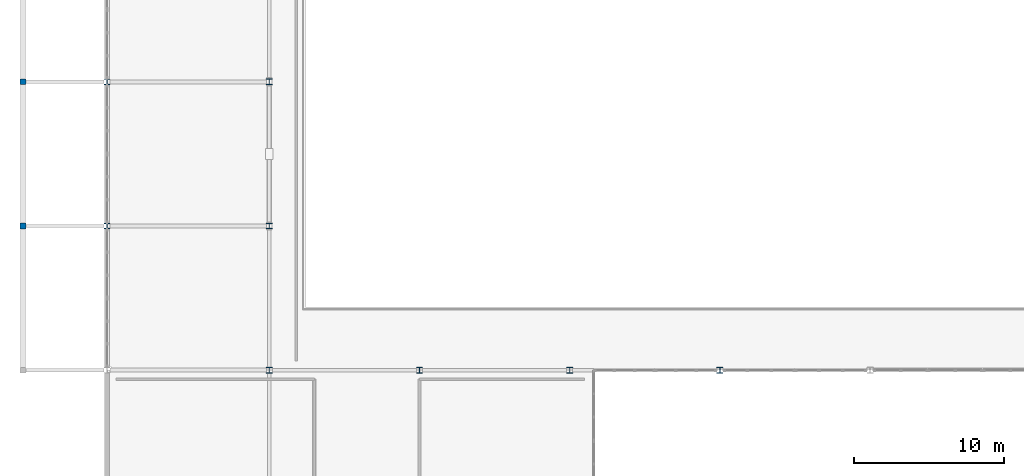
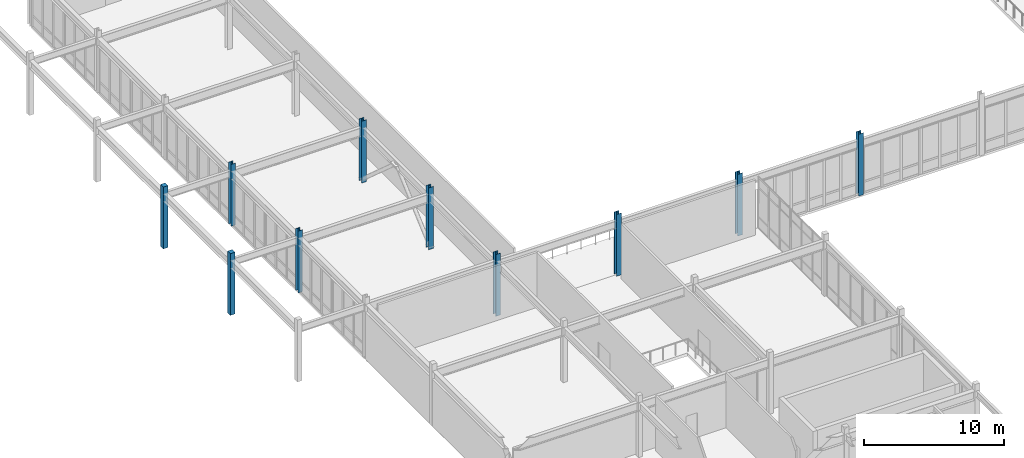
# One storey, part 2 of 68: 10 columns.
"""IFC4 building model written with IfcOpenShell, lengths in metres."""

from ifc_helpers import new_model, si_unit, direction, frame, origin, origin_2d, place, context, subcontext, project, spatial, rectangle, i_section, extrude, material, material_profile, profile_set, type_object, element, save


model = new_model("IFC4")

# Units and contexts
model_context = context("Model", 3, precision=1e-05, world=origin(), true_north=direction((0.0, 1.0)))
body_context = subcontext(model_context, "Body", "Model", "MODEL_VIEW")
ifc_project = project(units=[si_unit("LENGTHUNIT", "METRE"), si_unit("AREAUNIT", "SQUARE_METRE"), si_unit("VOLUMEUNIT", "CUBIC_METRE"), si_unit("PLANEANGLEUNIT", "RADIAN"), si_unit("MASSUNIT", "GRAM", prefix="KILO")], contexts=[model_context])

# Site, building, storey
site_placement = place(None, origin())
site = spatial("IfcSite", under=ifc_project, at=site_placement, CompositionType="ELEMENT")
building_placement = place(site_placement, origin())
building = spatial("IfcBuilding", under=site, at=building_placement, Name="Veldera Park Congress Hotel", CompositionType="ELEMENT")
storey_placement = place(building_placement, frame((0.0, 0.0, 10.800048828125)))
storey = spatial("IfcBuildingStorey", under=building, at=storey_placement, Name="L02", CompositionType="ELEMENT", Elevation=10.800048828125)

# Columns
ifc_material_1 = material(Name="Glulam GL28h (NDS 24F-V4)", Category="wood")
ifc_material_profile_1 = material_profile(ifc_material_1, rectangle(XDim=0.389892578125, YDim=0.389892578125, at=origin_2d()), Name="GL28h 390x390")
ifc_profile_set_1 = profile_set([ifc_material_profile_1], Name="Glulam GL28h (NDS 24F-V4)")
column_type_1 = type_object("IfcColumnType", Name="COL-GL36E", PredefinedType="COLUMN", material=ifc_profile_set_1)
for number, where, z_axis, x_axis, name in (
    (1, (-83.800048828125, -11.39990234375, 0.0), (0.0, 0.0, 1.0), (1.0, 0.0, 0.0), "L02 Column COL-GL36E (-83.8,-11.4)"),
    (2, (-83.800048828125, -1.800048828125, 0.0), (0.0, 0.0, 1.0), (1.0, 0.0, 0.0), "L02 Column COL-GL36E (-83.8,-1.8)"),
):
    element("IfcColumn", number, at=place(storey_placement, frame(where, z_axis=z_axis, x_axis=x_axis)), inside=storey, type_object=column_type_1, Name=name, PredefinedType="COLUMN", context=body_context, shape_type="SweptSolid", body=[
        extrude(rectangle(XDim=0.389892578125, YDim=0.389892578125, at=origin_2d()), origin(), (0.0, 0.0, 1.0), 5.39990234375),
    ])
ifc_material_2 = material(Name="Steel ASTM A992 Gr.50", Category="steel")
ifc_material_profile_2 = material_profile(ifc_material_2, i_section(OverallWidth=0.373046875, OverallDepth=0.367919921875, WebThickness=0.014892578125, FlangeThickness=0.02392578125, at=origin_2d()), Name="W14X120")
ifc_profile_set_2 = profile_set([ifc_material_profile_2], Name="Steel ASTM A992 Gr.50")
column_type_2 = type_object("IfcColumnType", Name="COL-STL120E", PredefinedType="COLUMN", material=ifc_profile_set_2)
for number, where, z_axis, x_axis, name in (
    (3, (-78.199951171875, -11.39990234375, 0.0), (0.0, 0.0, 1.0), (1.0, 0.0, 0.0), "L02 Column COL-STL120E (-78.2,-11.4)"),
    (4, (-78.199951171875, -1.800048828125, 0.0), (0.0, 0.0, 1.0), (1.0, 0.0, 0.0), "L02 Column COL-STL120E (-78.2,-1.8)"),
):
    element("IfcColumn", number, at=place(storey_placement, frame(where, z_axis=z_axis, x_axis=x_axis)), inside=storey, type_object=column_type_2, Name=name, PredefinedType="COLUMN", context=body_context, shape_type="SweptSolid", body=[
        extrude(i_section(OverallWidth=0.373046875, OverallDepth=0.367919921875, WebThickness=0.014892578125, FlangeThickness=0.02392578125, at=origin_2d()), origin(), (0.0, 0.0, 1.0), 5.39990234375),
    ])
ifc_material_profile_3 = material_profile(ifc_material_2, i_section(OverallWidth=0.39404296875, OverallDepth=0.375, WebThickness=0.017333984375, FlangeThickness=0.027587890625, at=origin_2d()), Name="W14X145")
ifc_profile_set_3 = profile_set([ifc_material_profile_3], Name="Steel ASTM A992 Gr.50")
column_type_3 = type_object("IfcColumnType", Name="COL-STL132E", PredefinedType="COLUMN", material=ifc_profile_set_3)
for number, where, z_axis, x_axis, name in (
    (5, (-57.39990234375, -21.0, 0.0), (0.0, 0.0, 1.0), (1.0, 0.0, 0.0), "L02 Column COL-STL132E (-57.4,-21.0)"),
    (6, (-47.39990234375, -21.0, 0.0), (0.0, 0.0, 1.0), (1.0, 0.0, 0.0), "L02 Column COL-STL132E (-47.4,-21.0)"),
    (7, (-37.39990234375, -21.0, 0.0), (0.0, 0.0, 1.0), (1.0, 0.0, 0.0), "L02 Column COL-STL132E (-37.4,-21.0)"),
):
    element("IfcColumn", number, at=place(storey_placement, frame(where, z_axis=z_axis, x_axis=x_axis)), inside=storey, type_object=column_type_3, Name=name, PredefinedType="COLUMN", context=body_context, shape_type="SweptSolid", body=[
        extrude(i_section(OverallWidth=0.39404296875, OverallDepth=0.375, WebThickness=0.017333984375, FlangeThickness=0.027587890625, at=origin_2d()), origin(), (0.0, 0.0, 1.0), 5.39990234375),
    ])
ifc_material_profile_4 = material_profile(ifc_material_2, i_section(OverallWidth=0.39697265625, OverallDepth=0.386962890625, WebThickness=0.02099609375, FlangeThickness=0.033203125, at=origin_2d()), Name="W14X176")
ifc_profile_set_4 = profile_set([ifc_material_profile_4], Name="Steel ASTM A992 Gr.50")
column_type_4 = type_object("IfcColumnType", Name="COL-STL176", PredefinedType="COLUMN", material=ifc_profile_set_4)
for number, where, z_axis, x_axis, name in (
    (8, (-67.39990234375, -11.39990234375, 0.0), (0.0, 0.0, 1.0), (1.0, 0.0, 0.0), "L02 Column COL-STL176 (-67.4,-11.4)"),
    (9, (-67.39990234375, -1.800048828125, 0.0), (0.0, 0.0, 1.0), (1.0, 0.0, 0.0), "L02 Column COL-STL176 (-67.4,-1.8)"),
):
    element("IfcColumn", number, at=place(storey_placement, frame(where, z_axis=z_axis, x_axis=x_axis)), inside=storey, type_object=column_type_4, Name=name, PredefinedType="COLUMN", context=body_context, shape_type="SweptSolid", body=[
        extrude(i_section(OverallWidth=0.39697265625, OverallDepth=0.386962890625, WebThickness=0.02099609375, FlangeThickness=0.033203125, at=origin_2d()), origin(), (0.0, 0.0, 1.0), 5.39990234375),
    ])
ifc_material_profile_5 = material_profile(ifc_material_2, i_section(OverallWidth=0.39892578125, OverallDepth=0.39306640625, WebThickness=0.022705078125, FlangeThickness=0.03662109375, at=origin_2d()), Name="W14X193")
ifc_profile_set_5 = profile_set([ifc_material_profile_5], Name="Steel ASTM A992 Gr.50")
column_type_5 = type_object("IfcColumnType", Name="COL-STL176E", PredefinedType="COLUMN", material=ifc_profile_set_5)
column_placement = place(storey_placement, frame((-67.39990234375, -21.0, 0.0), z_axis=(0.0, 0.0, 1.0), x_axis=(1.0, 0.0, 0.0)))
element("IfcColumn", 10, at=column_placement, inside=storey, type_object=column_type_5, Name="L02 Column COL-STL176E (-67.4,-21.0)", PredefinedType="COLUMN", context=body_context, shape_type="SweptSolid", body=[
    extrude(i_section(OverallWidth=0.39892578125, OverallDepth=0.39306640625, WebThickness=0.022705078125, FlangeThickness=0.03662109375, at=origin_2d()), origin(), (0.0, 0.0, 1.0), 5.39990234375),
])

save(model, "model.ifc")
